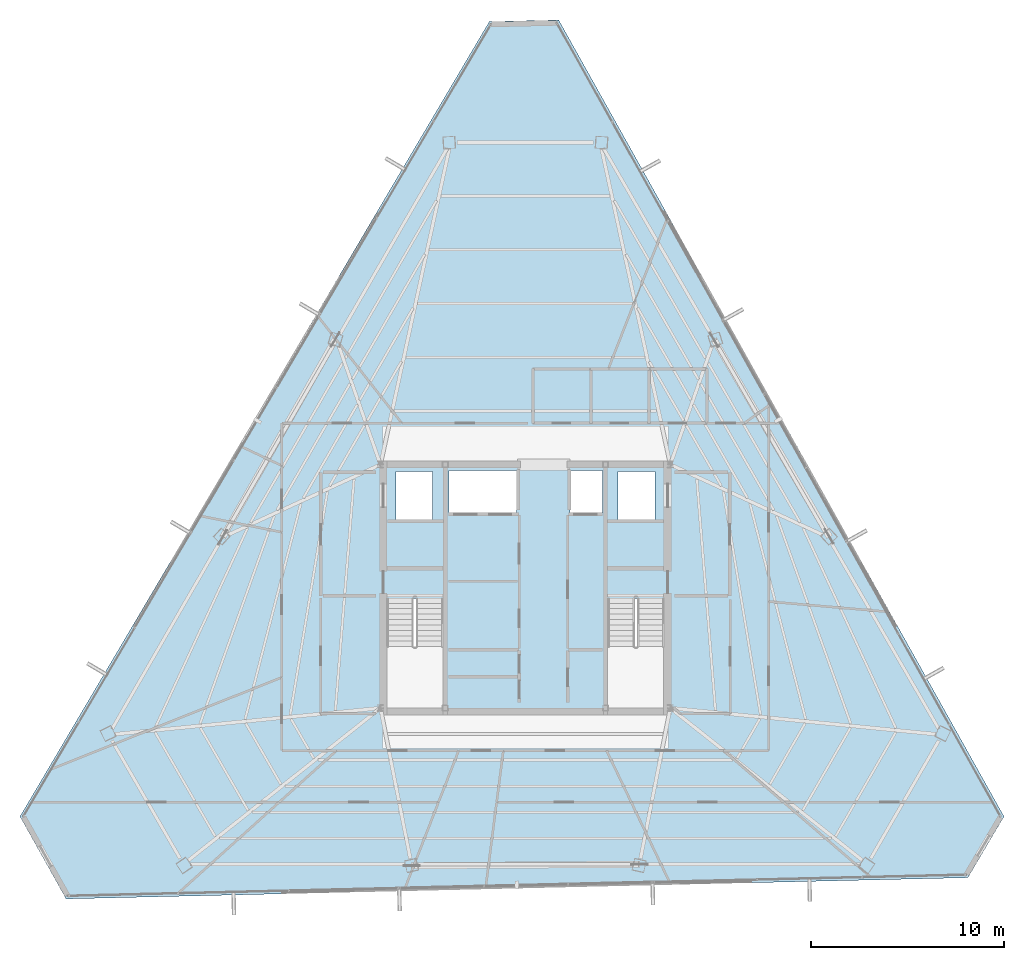
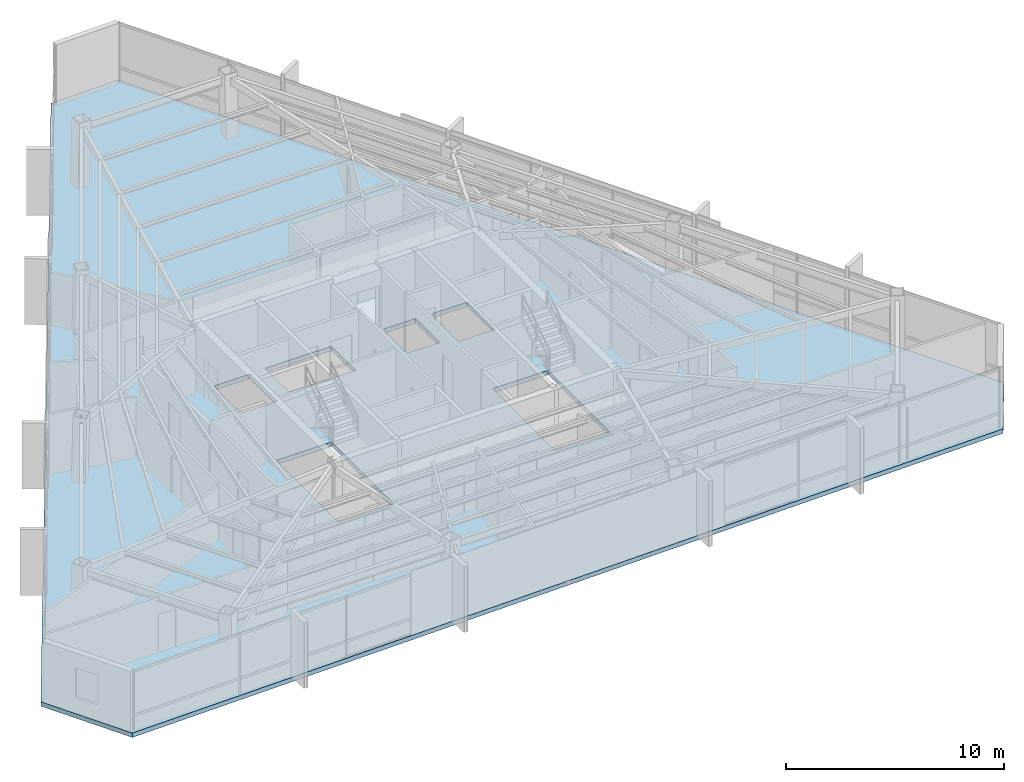
# One storey, part 38 of 46: 1 slab.
"""IFC4 building model written with IfcOpenShell, lengths in metres."""

import ifcopenshell
import ifcopenshell.guid

model = None  # the IFC model being written
_history = None  # IfcOwnerHistory: only IFC2X3 demands one
_inside = {}  # id of a spatial element -> (the spatial element, [elements in it])
_under = {}  # id of a project, library or spatial element -> (it, [spatial elements below it])
_declared = {}  # id of a project -> (the project, [libraries it declares])
_typed = {}  # id of a type object -> (the type object, [elements of that type])
_made_of = {}  # id of a material, layer set ... -> (it, [elements and type objects made of it])


def new_model(schema):
    """Start an empty IFC model of exactly this schema.

    Asked for "IFC4X3", IfcOpenShell would pick the latest addendum, in which some entities
    have other attributes; the version numbers below select the first issue.
    IFC2X3 requires an IfcOwnerHistory on every rooted entity: one is made here for all.
    """
    global model, _history
    if schema == "IFC4X3":
        model = ifcopenshell.file(schema_version=(4, 3, 0, 0))
    else:
        model = ifcopenshell.file(schema=schema)
    _inside.clear()
    _under.clear()
    _declared.clear()
    _typed.clear()
    _made_of.clear()
    _history = None
    if model.schema == "IFC2X3":
        org = make("IfcOrganization", Name="unknown")
        user = make(
            "IfcPersonAndOrganization",
            ThePerson=make("IfcPerson", FamilyName="unknown"),
            TheOrganization=org,
        )
        app = make(
            "IfcApplication",
            ApplicationDeveloper=org,
            Version="unknown",
            ApplicationFullName="unknown",
            ApplicationIdentifier="unknown",
        )
        _history = make(
            "IfcOwnerHistory",
            OwningUser=user,
            OwningApplication=app,
            ChangeAction="ADDED",
            CreationDate=0,
        )
    return model


def make(cls, **values):
    """One entity of the class cls with the attributes given. An attribute that is None is left unset."""
    return model.create_entity(
        cls, **{name: value for name, value in values.items() if value is not None}
    )


def rooted(cls, **values):
    """An entity with a GlobalId (a new one), such as an element, a storey or a relation."""
    return make(cls, GlobalId=ifcopenshell.guid.new(), OwnerHistory=_history, **values)


def si_unit(unit_type, name, prefix=None):
    """IfcSIUnit, for example si_unit("LENGTHUNIT", "METRE", prefix="MILLI")."""
    return make("IfcSIUnit", UnitType=unit_type, Prefix=prefix, Name=name)


def assignment(units):
    """IfcUnitAssignment: the units of a project."""
    return None if units is None else make("IfcUnitAssignment", Units=units)


def point(xyz):
    """IfcCartesianPoint."""
    return None if xyz is None else make("IfcCartesianPoint", Coordinates=xyz)


def direction(xyz):
    """IfcDirection."""
    return None if xyz is None else make("IfcDirection", DirectionRatios=xyz)


def frame(location, z_axis=None, x_axis=None):
    """IfcAxis2Placement3D, a coordinate frame: its origin and axes. An axis left out is left unset."""
    return make(
        "IfcAxis2Placement3D",
        Location=point(location),
        Axis=direction(z_axis),
        RefDirection=direction(x_axis),
    )


def origin():
    """The frame at (0, 0, 0) with its axes left unset."""
    return frame((0.0, 0.0, 0.0))


def place(relative_to, where):
    """IfcLocalPlacement: puts the frame where relative to a parent placement (None: the world)."""
    return make(
        "IfcLocalPlacement", PlacementRelTo=relative_to, RelativePlacement=where
    )


def context(
    kind, dimensions, precision=None, world=None, true_north=None, identifier=None
):
    """IfcGeometricRepresentationContext, for example the 3D "Model" context."""
    return make(
        "IfcGeometricRepresentationContext",
        ContextIdentifier=identifier,
        ContextType=kind,
        CoordinateSpaceDimension=dimensions,
        Precision=precision,
        WorldCoordinateSystem=world,
        TrueNorth=true_north,
    )


def subcontext(parent, identifier, kind, view, scale=None):
    """IfcGeometricRepresentationSubContext, for example "Body" below "Model"."""
    return make(
        "IfcGeometricRepresentationSubContext",
        ContextIdentifier=identifier,
        ContextType=kind,
        ParentContext=parent,
        TargetScale=scale,
        TargetView=view,
    )


def project(units=None, contexts=None):
    """IfcProject with its units and contexts."""
    return rooted(
        "IfcProject",
        Name="project",
        RepresentationContexts=contexts,
        UnitsInContext=assignment(units),
    )


def spatial(cls, under=None, at=None, **own):
    """A site, building, storey or space (cls), placed at a placement, below another one or the project."""
    s = rooted(cls, ObjectPlacement=at, **own)
    if under is not None:
        _under.setdefault(under.id(), (under, []))[1].append(s)
    return s


def polyline(points):
    """IfcPolyline through the points."""
    return make("IfcPolyline", Points=[point(p) for p in points])


def outline(outer, holes=None, kind="AREA"):
    """IfcArbitraryClosedProfileDef: a profile drawn as a closed curve; with holes, ...WithVoids."""
    if holes is None:
        return make("IfcArbitraryClosedProfileDef", ProfileType=kind, OuterCurve=outer)
    return make(
        "IfcArbitraryProfileDefWithVoids",
        ProfileType=kind,
        OuterCurve=outer,
        InnerCurves=holes,
    )


def extrude(swept, where, along, depth):
    """IfcExtrudedAreaSolid: the profile swept, set in the frame where, extruded along a direction by depth."""
    return make(
        "IfcExtrudedAreaSolid",
        SweptArea=swept,
        Position=where,
        ExtrudedDirection=direction(along),
        Depth=depth,
    )


def shape(context_of_items, identifier, shape_type, items):
    """IfcShapeRepresentation: the items that make up one representation, for example the "Body"."""
    return make(
        "IfcShapeRepresentation",
        ContextOfItems=context_of_items,
        RepresentationIdentifier=identifier,
        RepresentationType=shape_type,
        Items=items,
    )


def material(Name=None, Category=None):
    """IfcMaterial."""
    return make("IfcMaterial", Name=Name, Category=Category)


def layer(
    of_material, thickness, ventilated=None, Name=None, Category=None, Priority=None
):
    """IfcMaterialLayer: one layer of a wall or slab, of a material (None: an air gap)."""
    return make(
        "IfcMaterialLayer",
        Material=of_material,
        LayerThickness=thickness,
        IsVentilated=ventilated,
        Name=Name,
        Category=Category,
        Priority=Priority,
    )


def layer_set(layers, Name=None):
    """IfcMaterialLayerSet."""
    return make("IfcMaterialLayerSet", MaterialLayers=layers, LayerSetName=Name)


def made_of(thing, what):
    """Note that an element or type object is made of a material, layer set ...; save() writes the relation."""
    if what is not None:
        _made_of.setdefault(what.id(), (what, []))[1].append(thing)
    return thing


def type_object(cls, material=None, **own):
    """A type object (cls), such as IfcWallType, which elements share."""
    return made_of(rooted(cls, **own), material)


def element(
    cls,
    number,
    at=None,
    inside=None,
    cuts=None,
    type_object=None,
    material=None,
    context=None,
    identifier="Body",
    shape_type=None,
    held_by="IfcProductDefinitionShape",
    body=None,
    shapes=None,
    **own,
):
    """One element of the class cls, such as IfcWall. Its Tag is "e" and its number.

    at: its placement. inside: the storey or other place that contains it. cuts: it is an
    opening in that element (IfcRelVoidsElement). A single representation is given by context,
    identifier, shape_type and body (its items); several are given by shapes. held_by: the class
    of the entity that holds the representations. save() writes the other relations.
    """
    e = rooted(cls, Tag="e%d" % number, ObjectPlacement=at, **own)
    if body is not None:
        shapes = [shape(context, identifier, shape_type, body)]
    if shapes is not None:
        e.Representation = make(held_by, Representations=shapes)
    if inside is not None:
        _inside.setdefault(inside.id(), (inside, []))[1].append(e)
    if cuts is not None:
        rooted(
            "IfcRelVoidsElement", RelatingBuildingElement=cuts, RelatedOpeningElement=e
        )
    if type_object is not None:
        _typed.setdefault(type_object.id(), (type_object, []))[1].append(e)
    return made_of(e, material)


def aggregate(whole, parts):
    """IfcRelAggregates: a whole, such as a stair, and the parts it consists of."""
    return rooted("IfcRelAggregates", RelatingObject=whole, RelatedObjects=parts)


def save(model, path):
    """Write the relations noted so far, then the file.

    IfcRelAggregates (storeys below a building ...), IfcRelContainedInSpatialStructure (elements
    in a storey), IfcRelDefinesByType, IfcRelAssociatesMaterial and IfcRelDeclares: one each for
    every whole, place, type object, material and project.
    """
    for whole, parts in _under.values():
        aggregate(whole, parts)
    for where, things in _inside.values():
        rooted(
            "IfcRelContainedInSpatialStructure",
            RelatedElements=things,
            RelatingStructure=where,
        )
    for kind, things in _typed.values():
        rooted("IfcRelDefinesByType", RelatedObjects=things, RelatingType=kind)
    for what, things in _made_of.values():
        rooted("IfcRelAssociatesMaterial", RelatedObjects=things, RelatingMaterial=what)
    for by, libraries in _declared.values():
        rooted("IfcRelDeclares", RelatingContext=by, RelatedDefinitions=libraries)
    model.write(path)


model = new_model("IFC4")

# Units and contexts
model_context = context("Model", 3, precision=1e-05, world=origin(), true_north=direction((0.0, 1.0)))
body_context = subcontext(model_context, "Body", "Model", "MODEL_VIEW")
ifc_project = project(units=[si_unit("LENGTHUNIT", "METRE"), si_unit("AREAUNIT", "SQUARE_METRE"), si_unit("VOLUMEUNIT", "CUBIC_METRE"), si_unit("PLANEANGLEUNIT", "RADIAN"), si_unit("MASSUNIT", "GRAM", prefix="KILO")], contexts=[model_context])

# Site, building, storey
site_placement = place(None, origin())
site = spatial("IfcSite", under=ifc_project, at=site_placement, CompositionType="ELEMENT")
building_placement = place(site_placement, origin())
building = spatial("IfcBuilding", under=site, at=building_placement, Name="Caelisora Broadcast Tower", CompositionType="ELEMENT")
storey_placement = place(building_placement, frame((0.0, 0.0, 251.75)))
storey = spatial("IfcBuildingStorey", under=building, at=storey_placement, Name="L66", CompositionType="ELEMENT", Elevation=251.75)

# Slab
ifc_material = material(Name="Concrete 40 MPa (AS 3600 N40)", Category="concrete")
ifc_layer = layer(ifc_material, 0.25, Name="Concrete 40 MPa (AS 3600 N40)")
ifc_layer_set = layer_set([ifc_layer], Name="Concrete 40 MPa (AS 3600 N40)")
slab_type = type_object("IfcSlabType", Name="SL04", PredefinedType="FLOOR", material=ifc_layer_set)
slab_placement = place(storey_placement, frame((0.0, 0.0, -0.25)))
element("IfcSlab", 1, at=slab_placement, inside=storey, type_object=slab_type, Name="L66 suspended floor SL04", PredefinedType="FLOOR", context=body_context, shape_type="SweptSolid", body=[
    extrude(outline(polyline([(39.721923828125, 53.010986328125), (36.132080078125, 52.927001953125), (11.842041015625, 11.785888671875), (14.22705078125, 7.52099609375), (60.902099609375, 8.6201171875), (62.77099609375, 11.783935546875), (39.721923828125, 53.010986328125)]), holes=[polyline([(30.820068359375, 17.39990234375), (33.739990234375, 17.39990234375), (33.739990234375, 23.080078125), (30.820068359375, 23.080078125), (30.820068359375, 17.39990234375)]), polyline([(42.260009765625, 17.39990234375), (45.179931640625, 17.39990234375), (45.179931640625, 23.080078125), (42.260009765625, 23.080078125), (42.260009765625, 17.39990234375)]), polyline([(42.800048828125, 27.14990234375), (44.699951171875, 27.14990234375), (44.699951171875, 29.64990234375), (42.800048828125, 29.64990234375), (42.800048828125, 27.14990234375)]), polyline([(40.300048828125, 27.5), (42.0, 27.5), (42.0, 29.699951171875), (40.300048828125, 29.699951171875), (40.300048828125, 27.5)]), polyline([(34.050048828125, 27.5), (37.550048828125, 27.5), (37.550048828125, 29.699951171875), (34.050048828125, 29.699951171875), (34.050048828125, 27.5)]), polyline([(31.300048828125, 27.14990234375), (33.199951171875, 27.14990234375), (33.199951171875, 29.64990234375), (31.300048828125, 29.64990234375), (31.300048828125, 27.14990234375)])]), origin(), (0.0, 0.0, 1.0), 0.25),
])

save(model, "model.ifc")
